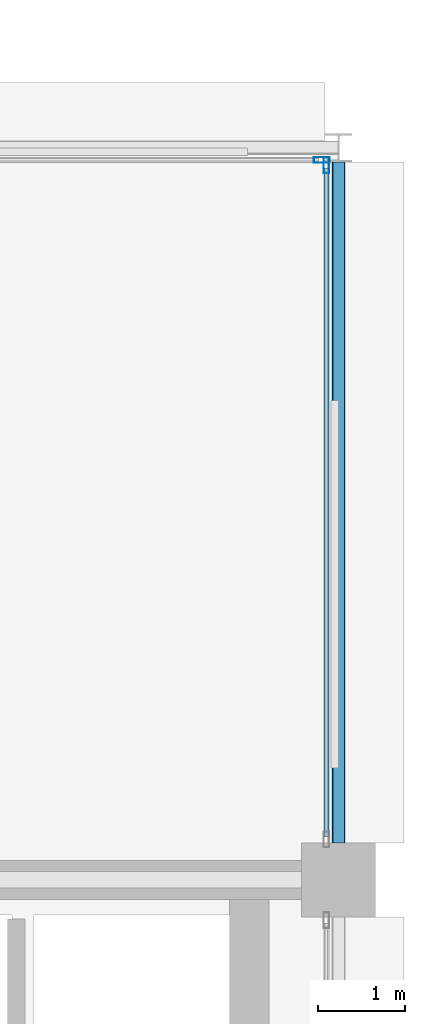
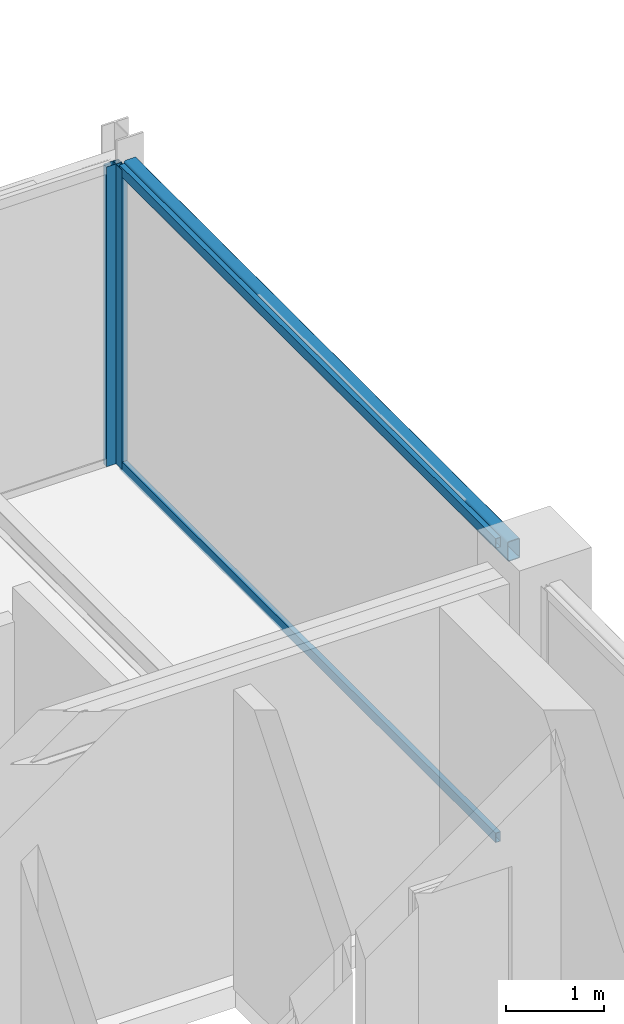
# One storey, part 15 of 25: 4 members, 1 beam, 2 elements without a shape of their own.
"""IFC4 building model written with IfcOpenShell, lengths in metres."""

from ifc_helpers import new_model, si_unit, direction, frame, origin, origin_2d, place, context, subcontext, project, spatial, hollow_rectangle, extrude, material, layer, layer_set, material_profile, profile_set, type_object, element, aggregate, save


model = new_model("IFC4")

# Units and contexts
model_context = context("Model", 3, precision=1e-05, world=origin(), true_north=direction((0.0, 1.0)))
body_context = subcontext(model_context, "Body", "Model", "MODEL_VIEW")
ifc_project = project(units=[si_unit("LENGTHUNIT", "METRE"), si_unit("AREAUNIT", "SQUARE_METRE"), si_unit("VOLUMEUNIT", "CUBIC_METRE"), si_unit("PLANEANGLEUNIT", "RADIAN"), si_unit("MASSUNIT", "GRAM", prefix="KILO")], contexts=[model_context])

# Site, building, storey
site_placement = place(None, origin())
site = spatial("IfcSite", under=ifc_project, at=site_placement, CompositionType="ELEMENT")
building_placement = place(site_placement, origin())
building = spatial("IfcBuilding", under=site, at=building_placement, Name="Nerrivon Quay Data Exchange", CompositionType="ELEMENT")
storey_placement = place(building_placement, frame((0.0, 0.0, 314.199951171875)))
storey = spatial("IfcBuildingStorey", under=building, at=storey_placement, Name="L75", CompositionType="ELEMENT", Elevation=314.199951171875)

# Beam
ifc_material_1 = material(Name="Steel Grade C350L0 (350 MPa)", Category="steel")
ifc_material_profile_1 = material_profile(ifc_material_1, hollow_rectangle(XDim=0.14990234375, YDim=0.25, WallThickness=0.009033203125, InnerFilletRadius=0.013427734375, OuterFilletRadius=0.0224609375, at=origin_2d()), Name="250x150x9.0RHS")
ifc_profile_set_1 = profile_set([ifc_material_profile_1], Name="Steel Grade C350L0 (350 MPa)")
beam_type = type_object("IfcBeamType", Name="BM-SP4-250x150RHS", PredefinedType="SPANDREL", material=ifc_profile_set_1)
beam_placement = place(storey_placement, frame((33.60009765625, 17.22509765625, 3.60009765625), z_axis=(0.0, 1.0, 0.0), x_axis=(-1.0, 0.0, 0.0)))
element("IfcBeam", 1, at=beam_placement, inside=storey, type_object=beam_type, Name="L75 NS Girder X=33.6 (16.8..25.2)", PredefinedType="SPANDREL", context=body_context, shape_type="SweptSolid", body=[
    extrude(hollow_rectangle(XDim=0.14990234375, YDim=0.25, WallThickness=0.009033203125, InnerFilletRadius=0.013427734375, OuterFilletRadius=0.0224609375, at=origin_2d()), origin(), (0.0, 0.0, 1.0), 7.8115234375),
])

# Curtain wall, member
ifc_material_2 = material(Name="Anodised aluminium 6063-T6", Category="aluminium")
ifc_layer = layer(ifc_material_2, 0.195068359375)
ifc_layer_set = layer_set([ifc_layer], Name="Anodised aluminium 6063-T6")
curtain_wall_type = type_object("IfcCurtainWallType", Name="CW-SYS-06", PredefinedType="NOTDEFINED", material=ifc_layer_set)
curtain_wall_1_placement = place(storey_placement, origin())
curtain_wall_1 = element("IfcCurtainWall", 2, at=curtain_wall_1_placement, inside=storey, type_object=curtain_wall_type, Name="L75 Unitised Curtain Wall 21", PredefinedType="NOTDEFINED")
ifc_material_profile_2 = material_profile(ifc_material_2, hollow_rectangle(XDim=0.06494140625, YDim=0.179931640625, WallThickness=0.00341796875, at=origin_2d()), Name="ALU-MULL-180x65")
ifc_profile_set_2 = profile_set([ifc_material_profile_2], Name="Anodised aluminium 6063-T6")
member_type_1 = type_object("IfcMemberType", Name="CWM-180x65", PredefinedType="MULLION", material=ifc_profile_set_2)
member_1_placement = place(storey_placement, frame((33.406982421875, 25.06005859375, 0.0), z_axis=(0.0, 0.0, 1.0), x_axis=(0.0, 1.0, 0.0)))
member_1 = element("IfcMember", 3, at=member_1_placement, type_object=member_type_1, Name="CW06 mullion 2", PredefinedType="MULLION", context=body_context, shape_type="SweptSolid", body=[
    extrude(hollow_rectangle(XDim=0.06494140625, YDim=0.179931640625, WallThickness=0.00341796875, at=origin_2d()), origin(), (0.0, 0.0, 1.0), 3.72509765625),
])
aggregate(curtain_wall_1, [member_1])

# Curtain wall, members
curtain_wall_2_placement = place(storey_placement, origin())
curtain_wall_2 = element("IfcCurtainWall", 4, at=curtain_wall_2_placement, inside=storey, type_object=curtain_wall_type, Name="L75 Unitised Curtain Wall 22", PredefinedType="NOTDEFINED")
member_2_placement = place(storey_placement, frame((33.4599609375, 24.9990234375, 0.0), z_axis=(0.0, 0.0, 1.0), x_axis=(1.0, 0.0, 0.0)))
member_2 = element("IfcMember", 5, at=member_2_placement, type_object=member_type_1, Name="CW06 mullion 1", PredefinedType="MULLION", context=body_context, shape_type="SweptSolid", body=[
    extrude(hollow_rectangle(XDim=0.06494140625, YDim=0.179931640625, WallThickness=0.00341796875, at=origin_2d()), origin(), (0.0, 0.0, 1.0), 3.72509765625),
])
ifc_material_profile_3 = material_profile(ifc_material_2, hollow_rectangle(XDim=0.06005859375, YDim=0.1201171875, WallThickness=0.003173828125, at=origin_2d()), Name="ALU-TRAN-120x60")
ifc_profile_set_3 = profile_set([ifc_material_profile_3], Name="Anodised aluminium 6063-T6")
member_type_2 = type_object("IfcMemberType", Name="CWT-120x60", PredefinedType="USERDEFINED", material=ifc_profile_set_3)
member_3_placement = place(storey_placement, frame((33.4599609375, 24.96142578125, 0.032470703125), z_axis=(0.0, -1.0, 0.0), x_axis=(1.0, 0.0, 0.0)))
member_3 = element("IfcMember", 6, at=member_3_placement, type_object=member_type_2, Name="CW06 transom 1.1", ObjectType="TRANSOM", PredefinedType="USERDEFINED", context=body_context, shape_type="SweptSolid", body=[
    extrude(hollow_rectangle(XDim=0.06005859375, YDim=0.1201171875, WallThickness=0.003173828125, at=origin_2d()), origin(), (0.0, 0.0, 1.0), 7.661376953125),
])
member_4_placement = place(storey_placement, frame((33.4599609375, 24.96142578125, 3.692626953125), z_axis=(0.0, -1.0, 0.0), x_axis=(1.0, 0.0, 0.0)))
member_4 = element("IfcMember", 7, at=member_4_placement, type_object=member_type_2, Name="CW06 transom 1.2", ObjectType="TRANSOM", PredefinedType="USERDEFINED", context=body_context, shape_type="SweptSolid", body=[
    extrude(hollow_rectangle(XDim=0.06005859375, YDim=0.1201171875, WallThickness=0.003173828125, at=origin_2d()), origin(), (0.0, 0.0, 1.0), 7.661376953125),
])
aggregate(curtain_wall_2, [member_2, member_3, member_4])

save(model, "model.ifc")
